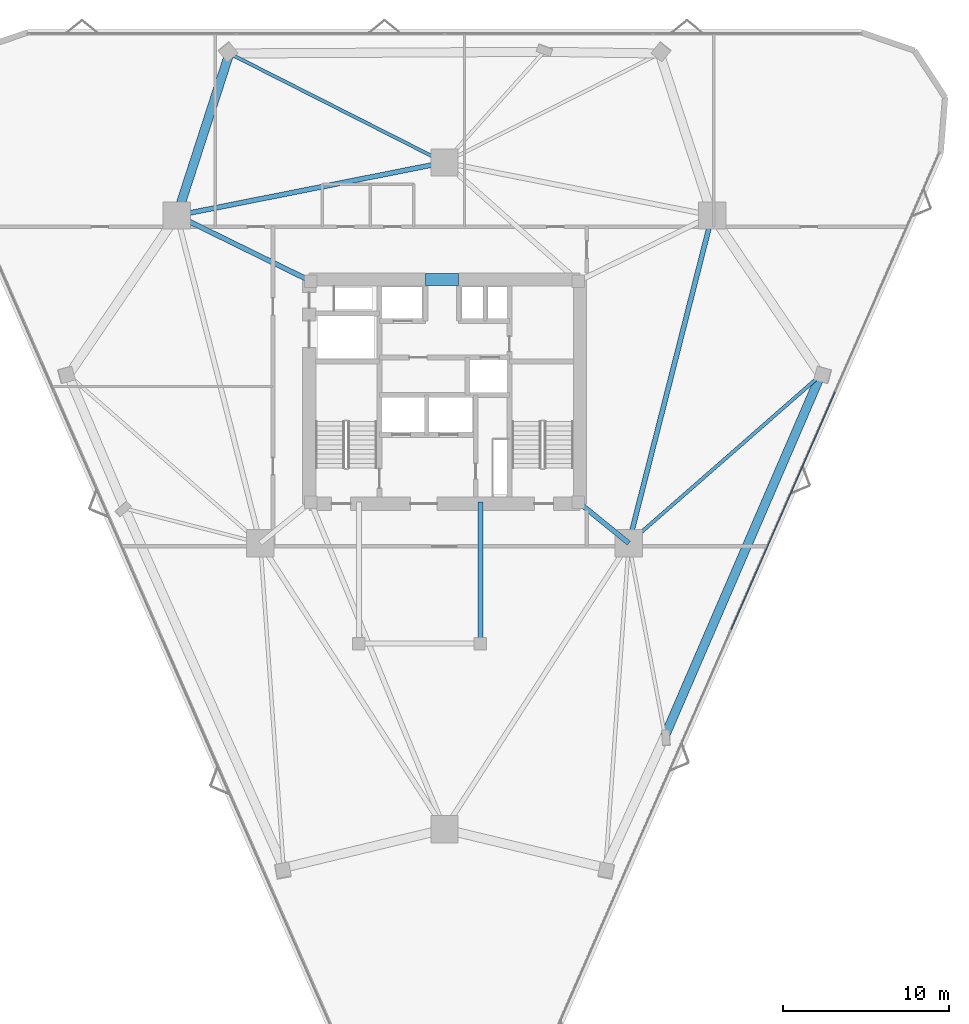
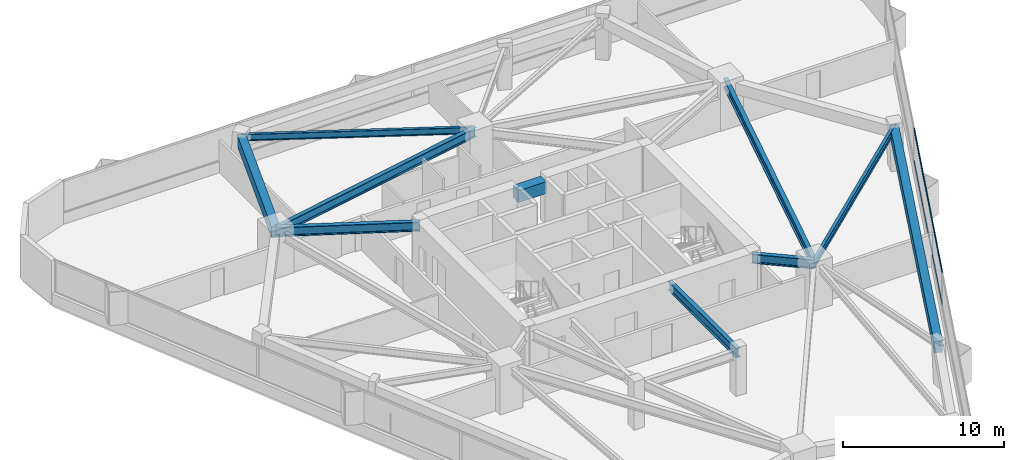
# One storey, part 5 of 14: 10 beams, 2 members, 1 element without a shape of its own.
"""IFC4 building model written with IfcOpenShell, lengths in metres."""

from ifc_helpers import new_model, si_unit, direction, frame, origin, origin_2d, place, context, subcontext, project, spatial, rectangle, i_section, extrude, material, layer, layer_set, material_profile, profile_set, type_object, element, aggregate, save


model = new_model("IFC4")

# Units and contexts
model_context = context("Model", 3, precision=1e-05, world=origin(), true_north=direction((0.0, 1.0)))
body_context = subcontext(model_context, "Body", "Model", "MODEL_VIEW")
ifc_project = project(units=[si_unit("LENGTHUNIT", "METRE"), si_unit("AREAUNIT", "SQUARE_METRE"), si_unit("VOLUMEUNIT", "CUBIC_METRE"), si_unit("PLANEANGLEUNIT", "RADIAN"), si_unit("MASSUNIT", "GRAM", prefix="KILO")], contexts=[model_context])

# Site, building, storey
site_placement = place(None, origin())
site = spatial("IfcSite", under=ifc_project, at=site_placement, CompositionType="ELEMENT")
building_placement = place(site_placement, origin())
building = spatial("IfcBuilding", under=site, at=building_placement, Name="Talyreon Biosciences Tower", CompositionType="ELEMENT")
storey_placement = place(building_placement, frame((0.0, 0.0, 115.14990234375)))
storey = spatial("IfcBuildingStorey", under=building, at=storey_placement, Name="L30", CompositionType="ELEMENT", Elevation=115.14990234375)

# Curtain wall, members
ifc_material_1 = material(Name="Thermally broken aluminium and low-E glazing", Category="aluminium")
ifc_layer = layer(ifc_material_1, 0.18994140625)
ifc_layer_set = layer_set([ifc_layer], Name="Thermally broken aluminium and low-E glazing")
curtain_wall_type = type_object("IfcCurtainWallType", Name="CurtainWall_Zone2Genomics", PredefinedType="NOTDEFINED", material=ifc_layer_set)
curtain_wall_placement = place(storey_placement, origin())
curtain_wall = element("IfcCurtainWall", 1, at=curtain_wall_placement, inside=storey, type_object=curtain_wall_type, Name="L30 Unitised Curtain Wall FCW-L30-08", PredefinedType="NOTDEFINED")
ifc_material_2 = material(Name="Anodised thermally broken aluminium", Category="aluminium")
ifc_material_profile_1 = material_profile(ifc_material_2, rectangle(XDim=0.06494140625, YDim=0.139892578125, at=origin_2d()), Name="ALUM TRANSOM 65x140")
ifc_profile_set_1 = profile_set([ifc_material_profile_1], Name="Anodised thermally broken aluminium")
member_type = type_object("IfcMemberType", Name="CWTransom_65x140", PredefinedType="USERDEFINED", material=ifc_profile_set_1)
member_1_placement = place(storey_placement, frame((89.495361328125, 67.979248046875, 0.842529296875), z_axis=(-0.400225422207, -0.916416723668, 0.0), x_axis=(0.916416723668, -0.400225422207, 0.0)))
member_1 = element("IfcMember", 2, at=member_1_placement, type_object=member_type, Name="CW3 transom 2.1", ObjectType="TRANSOM", PredefinedType="USERDEFINED", context=body_context, shape_type="SweptSolid", body=[
    extrude(rectangle(XDim=0.06494140625, YDim=0.139892578125, at=origin_2d()), origin(), (0.0, 0.0, 1.0), 15.6064453125),
])
member_2_placement = place(storey_placement, frame((89.495361328125, 67.979248046875, 3.267578125), z_axis=(-0.400225422207, -0.916416723668, 0.0), x_axis=(0.916416723668, -0.400225422207, 0.0)))
member_2 = element("IfcMember", 3, at=member_2_placement, type_object=member_type, Name="CW3 transom 2.2", ObjectType="TRANSOM", PredefinedType="USERDEFINED", context=body_context, shape_type="SweptSolid", body=[
    extrude(rectangle(XDim=0.06494140625, YDim=0.139892578125, at=origin_2d()), origin(), (0.0, 0.0, 1.0), 15.6064453125),
])
aggregate(curtain_wall, [member_1, member_2])

# Beams
ifc_material_3 = material(Name="Concrete C60/75", Category="concrete")
ifc_material_profile_2 = material_profile(ifc_material_3, rectangle(XDim=0.699951171875, YDim=0.89990234375, at=origin_2d()), Name="RCB 700x900")
ifc_profile_set_2 = profile_set([ifc_material_profile_2], Name="Concrete C60/75")
beam_type_1 = type_object("IfcBeamType", Name="CoreCouplingLintel_700x900", PredefinedType="LINTEL", material=ifc_profile_set_2)
beam_1_placement = place(storey_placement, frame((64.85009765625, 74.75, 2.85009765625), z_axis=(1.0, 0.0, 0.0), x_axis=(0.0, 1.0, 0.0)))
element("IfcBeam", 4, at=beam_1_placement, inside=storey, type_object=beam_type_1, Name="L30 Core Coupling Lintel", PredefinedType="LINTEL", context=body_context, shape_type="SweptSolid", body=[
    extrude(rectangle(XDim=0.699951171875, YDim=0.89990234375, at=origin_2d()), origin(), (0.0, 0.0, 1.0), 2.0),
])
ifc_material_4 = material(Name="Precast concrete C45/55", Category="concrete")
ifc_material_profile_3 = material_profile(ifc_material_4, rectangle(XDim=0.550048828125, YDim=0.85009765625, at=origin_2d()), Name="RCB 550x850")
ifc_profile_set_3 = profile_set([ifc_material_profile_3], Name="Precast concrete C45/55")
beam_type_2 = type_object("IfcBeamType", Name="ExpressedSpandrel_550x850", PredefinedType="SPANDREL", material=ifc_profile_set_3)
beam_2_placement = place(storey_placement, frame((79.26513671875, 47.281982421875, 2.875), z_axis=(0.396290640741, 0.91812511569, 0.0), x_axis=(-0.91812511569, 0.396290640741, 0.0)))
element("IfcBeam", 5, at=beam_2_placement, inside=storey, type_object=beam_type_2, Name="L30 Expressed Horizontal Concrete Spandrel 03", PredefinedType="SPANDREL", context=body_context, shape_type="SweptSolid", body=[
    extrude(rectangle(XDim=0.550048828125, YDim=0.85009765625, at=origin_2d()), origin(), (0.0, 0.0, 1.0), 23.645263671875),
])
beam_3_placement = place(storey_placement, frame((53.052001953125, 88.34765625, 2.875), z_axis=(-0.307838047932, -0.951438771674, 0.0), x_axis=(0.951438771674, -0.307838047932, 0.0)))
element("IfcBeam", 6, at=beam_3_placement, inside=storey, type_object=beam_type_2, Name="L30 Expressed Horizontal Concrete Spandrel 08", PredefinedType="SPANDREL", context=body_context, shape_type="SweptSolid", body=[
    extrude(rectangle(XDim=0.550048828125, YDim=0.85009765625, at=origin_2d()), origin(), (0.0, 0.0, 1.0), 10.24658203125),
])
ifc_material_5 = material(Name="Steel SM355", Category="steel")
ifc_material_profile_4 = material_profile(ifc_material_5, i_section(OverallWidth=0.300048828125, OverallDepth=0.699951171875, WebThickness=0.01708984375, FlangeThickness=0.031982421875, FilletRadius=0.027099609375, at=origin_2d()), Name="HE700B")
ifc_profile_set_4 = profile_set([ifc_material_profile_4], Name="Steel SM355")
beam_type_3 = type_object("IfcBeamType", Name="SteelGirder_HE700B", PredefinedType="BEAM", material=ifc_profile_set_4)
beam_4_placement = place(storey_placement, frame((77.086181640625, 58.88037109375, 2.9501953125), z_axis=(0.246537082299, 0.969133358755, 0.0), x_axis=(-0.969133358755, 0.246537082299, 0.0)))
element("IfcBeam", 7, at=beam_4_placement, inside=storey, type_object=beam_type_3, Name="L30 Mega-Ring Girder 2", PredefinedType="BEAM", context=body_context, shape_type="SweptSolid", body=[
    extrude(i_section(OverallWidth=0.300048828125, OverallDepth=0.699951171875, WebThickness=0.01708984375, FlangeThickness=0.031982421875, FilletRadius=0.027099609375, at=origin_2d()), origin(), (0.0, 0.0, 1.0), 20.34619140625),
])
beam_5_placement = place(storey_placement, frame((66.0, 81.788818359375, 2.9501953125), z_axis=(-0.980933730698, -0.194342522311, 0.0), x_axis=(0.194342522311, -0.980933730698, 0.0)))
element("IfcBeam", 8, at=beam_5_placement, inside=storey, type_object=beam_type_3, Name="L30 Mega-Ring Girder 4", PredefinedType="BEAM", context=body_context, shape_type="SweptSolid", body=[
    extrude(i_section(OverallWidth=0.300048828125, OverallDepth=0.699951171875, WebThickness=0.01708984375, FlangeThickness=0.031982421875, FilletRadius=0.027099609375, at=origin_2d()), origin(), (0.0, 0.0, 1.0), 16.415283203125),
])
beam_6_placement = place(storey_placement, frame((74.050048828125, 61.35009765625, 2.9501953125), z_axis=(0.775755154013, -0.631034025249, 0.0), x_axis=(0.631034025249, 0.775755154013, 0.0)))
element("IfcBeam", 9, at=beam_6_placement, inside=storey, type_object=beam_type_3, Name="L30 Radial Primary Girder 2", PredefinedType="BEAM", context=body_context, shape_type="SweptSolid", body=[
    extrude(i_section(OverallWidth=0.300048828125, OverallDepth=0.699951171875, WebThickness=0.01708984375, FlangeThickness=0.031982421875, FilletRadius=0.027099609375, at=origin_2d()), origin(), (0.0, 0.0, 1.0), 3.913818359375),
])
beam_7_placement = place(storey_placement, frame((57.949951171875, 74.64990234375, 2.9501953125), z_axis=(-0.897852360314, 0.440296648952, 0.0), x_axis=(-0.440296648952, -0.897852360314, 0.0)))
element("IfcBeam", 10, at=beam_7_placement, inside=storey, type_object=beam_type_3, Name="L30 Radial Primary Girder 5", PredefinedType="BEAM", context=body_context, shape_type="SweptSolid", body=[
    extrude(i_section(OverallWidth=0.300048828125, OverallDepth=0.699951171875, WebThickness=0.01708984375, FlangeThickness=0.031982421875, FilletRadius=0.027099609375, at=origin_2d()), origin(), (0.0, 0.0, 1.0), 8.96826171875),
])
beam_8_placement = place(storey_placement, frame((68.14990234375, 52.840087890625, 2.9501953125), z_axis=(0.0, 1.0, 0.0), x_axis=(-1.0, 0.0, 0.0)))
element("IfcBeam", 11, at=beam_8_placement, inside=storey, type_object=beam_type_3, Name="L30 Crown Shaft Tie Girder E", PredefinedType="BEAM", context=body_context, shape_type="SweptSolid", body=[
    extrude(i_section(OverallWidth=0.300048828125, OverallDepth=0.699951171875, WebThickness=0.01708984375, FlangeThickness=0.031982421875, FilletRadius=0.027099609375, at=origin_2d()), origin(), (0.0, 0.0, 1.0), 8.510009765625),
])
ifc_material_profile_5 = material_profile(ifc_material_5, i_section(OverallWidth=0.199951171875, OverallDepth=0.5, WebThickness=0.01025390625, FlangeThickness=0.01611328125, FilletRadius=0.02099609375, at=origin_2d()), Name="IPE500")
ifc_profile_set_5 = profile_set([ifc_material_profile_5], Name="Steel SM355")
beam_type_4 = type_object("IfcBeamType", Name="SteelJoist_IPE500", PredefinedType="JOIST", material=ifc_profile_set_5)
beam_9_placement = place(storey_placement, frame((66.0, 81.788818359375, 3.050048828125), z_axis=(-0.892076913514, 0.45188359162, 0.0), x_axis=(-0.45188359162, -0.892076913514, 0.0)))
element("IfcBeam", 12, at=beam_9_placement, inside=storey, type_object=beam_type_4, Name="L30 Radial Composite Floor Joist PC-N2", PredefinedType="JOIST", context=body_context, shape_type="SweptSolid", body=[
    extrude(i_section(OverallWidth=0.199951171875, OverallDepth=0.5, WebThickness=0.01025390625, FlangeThickness=0.01611328125, FilletRadius=0.02099609375, at=origin_2d()), origin(), (0.0, 0.0, 1.0), 14.514404296875),
])
ifc_material_profile_6 = material_profile(ifc_material_5, i_section(OverallWidth=0.2099609375, OverallDepth=0.550048828125, WebThickness=0.010986328125, FlangeThickness=0.01708984375, FilletRadius=0.02392578125, at=origin_2d()), Name="IPE550")
ifc_profile_set_6 = profile_set([ifc_material_profile_6], Name="Steel SM355")
beam_type_5 = type_object("IfcBeamType", Name="SteelJoist_IPE550", PredefinedType="JOIST", material=ifc_profile_set_6)
beam_10_placement = place(storey_placement, frame((77.086181640625, 58.88037109375, 3.025146484375), z_axis=(0.752409173616, 0.658696011418, 0.0), x_axis=(-0.658696011418, 0.752409173616, 0.0)))
element("IfcBeam", 13, at=beam_10_placement, inside=storey, type_object=beam_type_5, Name="L30 Radial Composite Floor Joist PC-SE2", PredefinedType="JOIST", context=body_context, shape_type="SweptSolid", body=[
    extrude(i_section(OverallWidth=0.2099609375, OverallDepth=0.550048828125, WebThickness=0.010986328125, FlangeThickness=0.01708984375, FilletRadius=0.02392578125, at=origin_2d()), origin(), (0.0, 0.0, 1.0), 15.349853515625),
])

save(model, "model.ifc")
